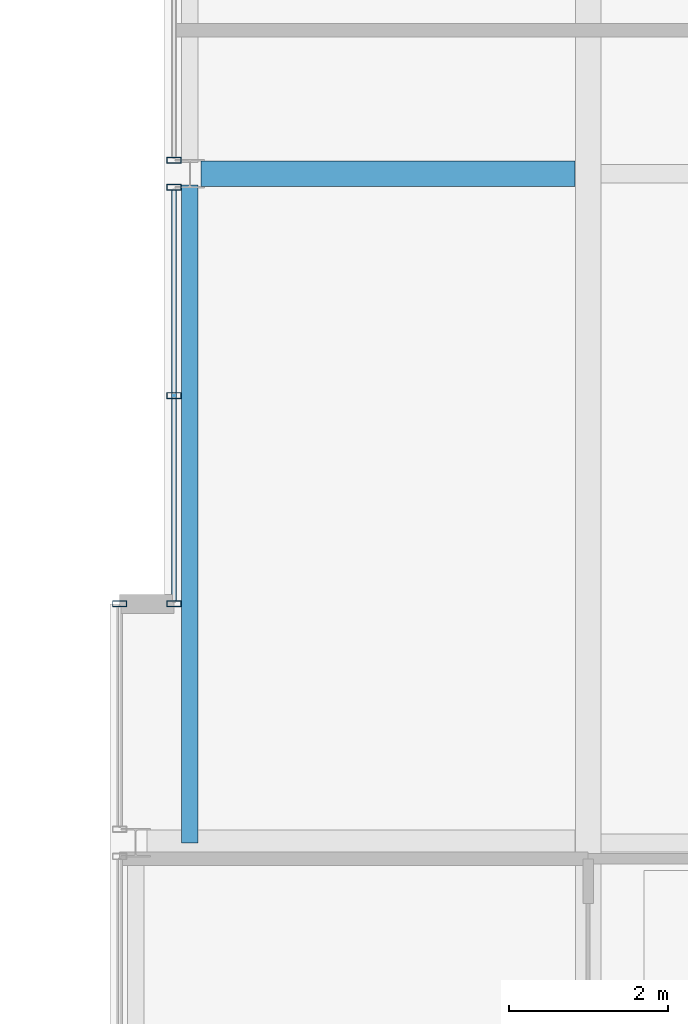
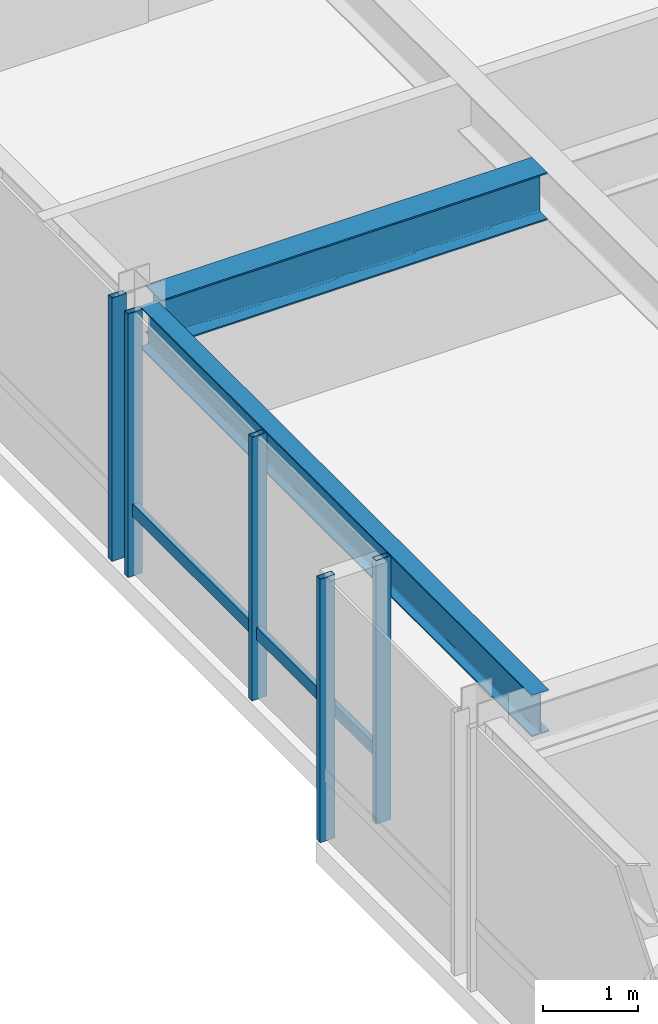
# One storey, part 11 of 33: 6 members, 2 beams, 3 elements without a shape of their own.
"""IFC4 building model written with IfcOpenShell, lengths in metres."""

from ifc_helpers import new_model, si_unit, direction, frame, origin, origin_2d, place, context, subcontext, project, spatial, hollow_rectangle, i_section, extrude, material, layer, layer_set, material_profile, profile_set, type_object, element, aggregate, save


model = new_model("IFC4")

# Units and contexts
model_context = context("Model", 3, precision=1e-05, world=origin(), true_north=direction((0.0, 1.0)))
body_context = subcontext(model_context, "Body", "Model", "MODEL_VIEW")
ifc_project = project(units=[si_unit("LENGTHUNIT", "METRE"), si_unit("AREAUNIT", "SQUARE_METRE"), si_unit("VOLUMEUNIT", "CUBIC_METRE"), si_unit("PLANEANGLEUNIT", "RADIAN"), si_unit("MASSUNIT", "GRAM", prefix="KILO")], contexts=[model_context])

# Site, building, storey
site_placement = place(None, origin())
site = spatial("IfcSite", under=ifc_project, at=site_placement, CompositionType="ELEMENT")
building_placement = place(site_placement, origin())
building = spatial("IfcBuilding", under=site, at=building_placement, Name="Drelvath Grand Hotel", CompositionType="ELEMENT")
storey_placement = place(building_placement, frame((0.0, 0.0, 283.25)))
storey = spatial("IfcBuildingStorey", under=building, at=storey_placement, Name="L74", CompositionType="ELEMENT", Elevation=283.25)

# Curtain wall, member
ifc_material_1 = material(Name="Platinum-Mist Anodised Aluminium Frame", Category="aluminium")
ifc_layer = layer(ifc_material_1, 0.199951171875)
ifc_layer_set = layer_set([ifc_layer], Name="Platinum-Mist Anodised Aluminium Frame")
curtain_wall_type = type_object("IfcCurtainWallType", Name="Stick Curtain Wall CW-05 Platinum Mist High-Rise", PredefinedType="NOTDEFINED", material=ifc_layer_set)
curtain_wall_1_placement = place(storey_placement, origin())
curtain_wall_1 = element("IfcCurtainWall", 1, at=curtain_wall_1_placement, inside=storey, type_object=curtain_wall_type, Name="L74 CW-05 Curtain Wall CW05-L74-WM1", PredefinedType="NOTDEFINED")
ifc_material_profile_1 = material_profile(ifc_material_1, hollow_rectangle(XDim=0.06494140625, YDim=0.159912109375, WallThickness=0.00390625, at=origin_2d()), Name="HSS160X65X4")
ifc_profile_set_1 = profile_set([ifc_material_profile_1], Name="Platinum-Mist Anodised Aluminium Frame")
member_type_1 = type_object("IfcMemberType", Name="Curtain Wall Horizontal Transom CW-05 HSS160X65X4", PredefinedType="USERDEFINED", material=ifc_profile_set_1)
member_1_placement = place(storey_placement, frame((-21.39990234375, 21.639892578125, 0.847412109375), z_axis=(0.0, 1.0, 0.0), x_axis=(-1.0, 0.0, 0.0)))
member_1 = element("IfcMember", 2, at=member_1_placement, type_object=member_type_1, Name="CW05-L74-WM1 Sill Transom", ObjectType="TRANSOM", PredefinedType="USERDEFINED", context=body_context, shape_type="SweptSolid", body=[
    extrude(hollow_rectangle(XDim=0.06494140625, YDim=0.159912109375, WallThickness=0.00390625, at=origin_2d()), origin(), (0.0, 0.0, 1.0), 5.150146484375),
])

curtain_wall_2_placement = place(storey_placement, origin())
curtain_wall_2 = element("IfcCurtainWall", 3, at=curtain_wall_2_placement, inside=storey, type_object=curtain_wall_type, Name="L74 CW-05 Curtain Wall CW05-L74-WS2", PredefinedType="NOTDEFINED")
ifc_material_profile_2 = material_profile(ifc_material_1, hollow_rectangle(XDim=0.074951171875, YDim=0.179931640625, WallThickness=0.0048828125, at=origin_2d()), Name="HSS180X75X5")
ifc_profile_set_2 = profile_set([ifc_material_profile_2], Name="Platinum-Mist Anodised Aluminium Frame")
member_type_2 = type_object("IfcMemberType", Name="Curtain Wall Vertical Mullion CW-05 HSS180X75X5", PredefinedType="MULLION", material=ifc_profile_set_2)
member_2_placement = place(storey_placement, frame((-22.080078125, 21.60009765625, 0.0), z_axis=(0.0, 0.0, 1.0), x_axis=(0.0, 1.0, 0.0)))
member_2 = element("IfcMember", 4, at=member_2_placement, type_object=member_type_2, Name="CW05-L74-WS2 Mullion 2", PredefinedType="MULLION", context=body_context, shape_type="SweptSolid", body=[
    extrude(hollow_rectangle(XDim=0.074951171875, YDim=0.179931640625, WallThickness=0.0048828125, at=origin_2d()), origin(), (0.0, 0.0, 1.0), 3.389892578125),
])
aggregate(curtain_wall_2, [member_2])

# Member
member_3_placement = place(storey_placement, frame((-21.39990234375, 21.60009765625, 0.0), z_axis=(0.0, 0.0, 1.0), x_axis=(0.0, 1.0, 0.0)))
member_3 = element("IfcMember", 5, at=member_3_placement, type_object=member_type_2, Name="CW05-L74-WM1 Mullion 1", PredefinedType="MULLION", context=body_context, shape_type="SweptSolid", body=[
    extrude(hollow_rectangle(XDim=0.074951171875, YDim=0.179931640625, WallThickness=0.0048828125, at=origin_2d()), origin(), (0.0, 0.0, 1.0), 3.389892578125),
])

member_4_placement = place(storey_placement, frame((-21.39990234375, 24.215087890625, 0.0), z_axis=(0.0, 0.0, 1.0), x_axis=(0.0, 1.0, 0.0)))
member_4 = element("IfcMember", 6, at=member_4_placement, type_object=member_type_2, Name="CW05-L74-WM1 Mullion 2", PredefinedType="MULLION", context=body_context, shape_type="SweptSolid", body=[
    extrude(hollow_rectangle(XDim=0.074951171875, YDim=0.179931640625, WallThickness=0.0048828125, at=origin_2d()), origin(), (0.0, 0.0, 1.0), 3.389892578125),
])

member_5_placement = place(storey_placement, frame((-21.39990234375, 26.830078125, 0.0), z_axis=(0.0, 0.0, 1.0), x_axis=(0.0, 1.0, 0.0)))
member_5 = element("IfcMember", 7, at=member_5_placement, type_object=member_type_2, Name="CW05-L74-WM1 Mullion 3", PredefinedType="MULLION", context=body_context, shape_type="SweptSolid", body=[
    extrude(hollow_rectangle(XDim=0.074951171875, YDim=0.179931640625, WallThickness=0.0048828125, at=origin_2d()), origin(), (0.0, 0.0, 1.0), 3.389892578125),
])

aggregate(curtain_wall_1, [member_3, member_4, member_5, member_1])

# Curtain wall, member
curtain_wall_3_placement = place(storey_placement, origin())
curtain_wall_3 = element("IfcCurtainWall", 8, at=curtain_wall_3_placement, inside=storey, type_object=curtain_wall_type, Name="L74 CW-05 Curtain Wall CW05-L74-WM2", PredefinedType="NOTDEFINED")
member_6_placement = place(storey_placement, frame((-21.39990234375, 27.169921875, 0.0), z_axis=(0.0, 0.0, 1.0), x_axis=(0.0, 1.0, 0.0)))
member_6 = element("IfcMember", 9, at=member_6_placement, type_object=member_type_2, Name="CW05-L74-WM2 Mullion 1", PredefinedType="MULLION", context=body_context, shape_type="SweptSolid", body=[
    extrude(hollow_rectangle(XDim=0.074951171875, YDim=0.179931640625, WallThickness=0.0048828125, at=origin_2d()), origin(), (0.0, 0.0, 1.0), 3.389892578125),
])
aggregate(curtain_wall_3, [member_6])

# Beams
ifc_material_2 = material(Name="Steel ASTM A992 Gr 50", Category="steel")
ifc_material_profile_3 = material_profile(ifc_material_2, i_section(OverallWidth=0.210205078125, OverallDepth=0.53662109375, WebThickness=0.010986328125, FlangeThickness=0.017333984375, FilletRadius=0.01806640625, at=origin_2d()), Name="W21X68")
ifc_profile_set_3 = profile_set([ifc_material_profile_3], Name="Steel ASTM A992 Gr 50")
beam_type_1 = type_object("IfcBeamType", Name="Perimeter Spandrel Beam W21X68", PredefinedType="SPANDREL", material=ifc_profile_set_3)
beam_1_placement = place(storey_placement, frame((-21.199951171875, 18.60009765625, 3.12158203125), z_axis=(0.0, 1.0, 0.0), x_axis=(-1.0, 0.0, 0.0)))
element("IfcBeam", 10, at=beam_1_placement, inside=storey, type_object=beam_type_1, Name="L74 Spandrel West Mid S", PredefinedType="SPANDREL", context=body_context, shape_type="SweptSolid", body=[
    extrude(i_section(OverallWidth=0.210205078125, OverallDepth=0.53662109375, WebThickness=0.010986328125, FlangeThickness=0.017333984375, FilletRadius=0.01806640625, at=origin_2d()), origin(), (0.0, 0.0, 1.0), 8.260009765625),
])
ifc_material_profile_4 = material_profile(ifc_material_2, i_section(OverallWidth=0.323974609375, OverallDepth=0.611083984375, WebThickness=0.0126953125, FlangeThickness=0.01904296875, FilletRadius=0.02197265625, at=origin_2d()), Name="W24X104")
ifc_profile_set_4 = profile_set([ifc_material_profile_4], Name="Steel ASTM A992 Gr 50")
beam_type_2 = type_object("IfcBeamType", Name="Primary Floor Girder W24X104", PredefinedType="BEAM", material=ifc_profile_set_4)
beam_2_placement = place(storey_placement, frame((-21.06005859375, 27.0, 3.08447265625), z_axis=(1.0, 0.0, 0.0), x_axis=(0.0, 1.0, 0.0)))
element("IfcBeam", 11, at=beam_2_placement, inside=storey, type_object=beam_type_2, Name="L74 West Wing Girder E", PredefinedType="BEAM", context=body_context, shape_type="SweptSolid", body=[
    extrude(i_section(OverallWidth=0.323974609375, OverallDepth=0.611083984375, WebThickness=0.0126953125, FlangeThickness=0.01904296875, FilletRadius=0.02197265625, at=origin_2d()), origin(), (0.0, 0.0, 1.0), 4.697998046875),
])

save(model, "model.ifc")
